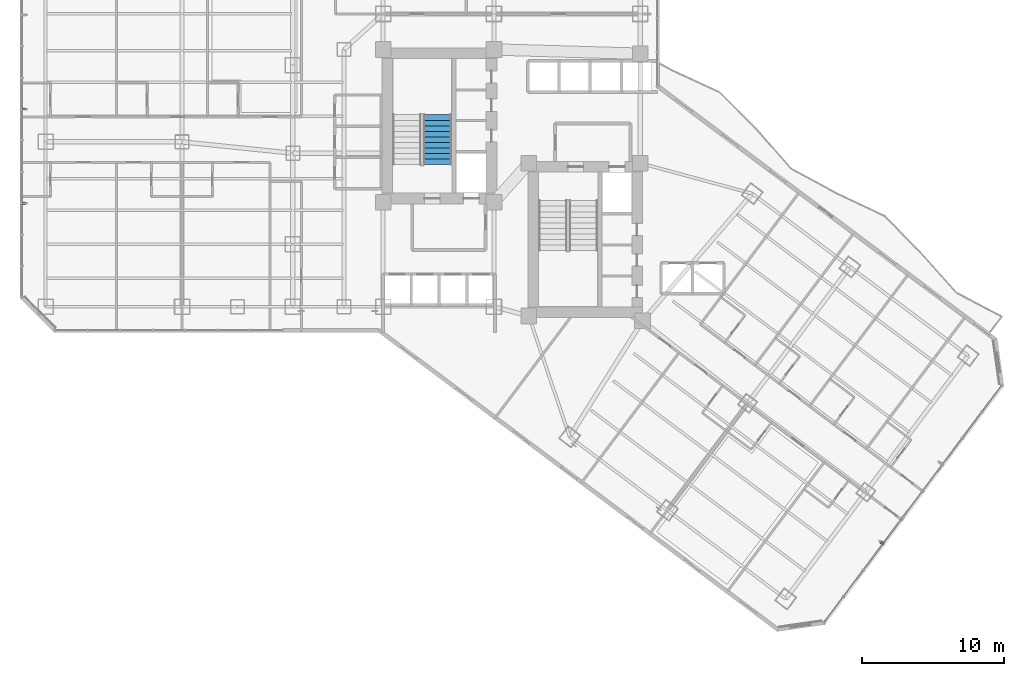
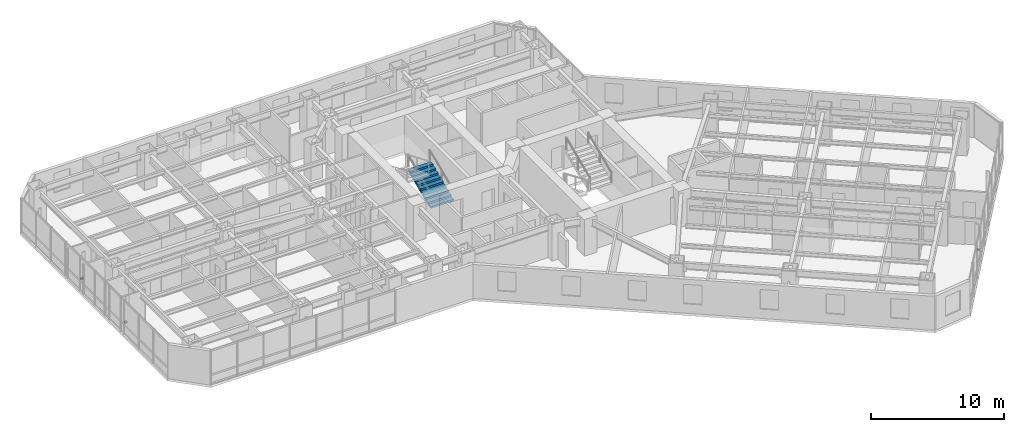
# One storey, part 28 of 37: 3 discrete accessories, 1 stair flight, 1 element without a shape of its own.
"""IFC4 building model written with IfcOpenShell, lengths in metres."""

from ifc_helpers import new_model, si_unit, direction, frame, origin, origin_2d, place, context, subcontext, project, spatial, polyline, rectangle, outline, extrude, material, type_object, element, aggregate, save


model = new_model("IFC4")

# Units and contexts
model_context = context("Model", 3, precision=1e-05, world=origin(), true_north=direction((0.0, 1.0)))
body_context = subcontext(model_context, "Body", "Model", "MODEL_VIEW")
ifc_project = project(units=[si_unit("LENGTHUNIT", "METRE"), si_unit("AREAUNIT", "SQUARE_METRE"), si_unit("VOLUMEUNIT", "CUBIC_METRE"), si_unit("PLANEANGLEUNIT", "RADIAN"), si_unit("MASSUNIT", "GRAM", prefix="KILO")], contexts=[model_context])

# Site, building, storey
site_placement = place(None, origin())
site = spatial("IfcSite", under=ifc_project, at=site_placement, CompositionType="ELEMENT")
building_placement = place(site_placement, origin())
building = spatial("IfcBuilding", under=site, at=building_placement, Name="Hatsunagi Terrace Concourse", CompositionType="ELEMENT")
storey_placement = place(building_placement, frame((0.0, 0.0, 50.0)))
storey = spatial("IfcBuildingStorey", under=building, at=storey_placement, Name="L12", CompositionType="ELEMENT", Elevation=50.0)

# Stair, stair flight
ifc_material_1 = material(Name="Concrete Fc42", Category="concrete")
stair_type = type_object("IfcStairType", Name="DoglegExitStair_Tower2000_20R_168", PredefinedType="HALF_TURN_STAIR", material=ifc_material_1)
stair_placement = place(storey_placement, origin())
stair = element("IfcStair", 1, at=stair_placement, inside=storey, type_object=stair_type, Name="L12 Core A Protected Exit Stair ST-A", PredefinedType="HALF_TURN_STAIR")
ifc_material_2 = material(Name="Concrete Fc42", Category="concrete")
stair_flight_type = type_object("IfcStairFlightType", Name="DoglegStairFlight_Tower2000_20R_168", PredefinedType="STRAIGHT", material=ifc_material_2)
stair_flight_placement = place(storey_placement, frame((29.3798828125, 35.199951171875, 0.0), z_axis=(0.0, 0.0, 1.0), x_axis=(0.0, 1.0, 0.0)))
stair_flight = element("IfcStairFlight", 2, at=stair_flight_placement, type_object=stair_flight_type, Name="ST-A flight 1", NumberOfRisers=10, NumberOfTreads=9, PredefinedType="STRAIGHT", RiserHeight=0.1675, TreadLength=0.39, context=body_context, shape_type="SweptSolid", body=[
    extrude(outline(polyline([(0.0, 0.0), (0.0, 0.16748046875), (0.389892578125, 0.16748046875), (0.389892578125, 0.3349609375), (0.780029296875, 0.3349609375), (0.780029296875, 0.50244140625), (1.169921875, 0.50244140625), (1.169921875, 0.669921875), (1.56005859375, 0.669921875), (1.56005859375, 0.83740234375), (1.949951171875, 0.83740234375), (1.949951171875, 1.0048828125), (2.340087890625, 1.0048828125), (2.340087890625, 1.172607421875), (2.72998046875, 1.172607421875), (2.72998046875, 1.340087890625), (3.1201171875, 1.340087890625), (3.1201171875, 1.507568359375), (3.510009765625, 1.507568359375), (3.510009765625, 1.675048828125), (3.510009765625, 1.34423828125), (0.3798828125, 0.0), (0.0, 0.0)])), frame((0.0, 1.0, 0.0), z_axis=(0.0, -1.0, 0.0), x_axis=(1.0, 0.0, 0.0)), (0.0, 0.0, 1.0), 2.0),
])
aggregate(stair, [stair_flight])

# Discrete accessories
ifc_material_3 = material(Name="Stainless Steel SUS316 Bracket", Category="steel")
discrete_accessory_type = type_object("IfcDiscreteAccessoryType", Name="FacadeScreenSupportBracket_SS", PredefinedType="BRACKET", material=ifc_material_3)
for number, where, z_axis, x_axis, name in (
    (3, (60.652099609375, 8.5849609375, 0.97021484375), (0.0, 0.0, 1.0), (-0.599969314634, -0.800023013105, 0.0), "Terracotta Screen Bracket BRK-01"),
    (4, (0.25, 32.48291015625, 0.97021484375), (0.0, 0.0, 1.0), (0.0, 1.0, 0.0), "Terracotta Screen Bracket BRK-01"),
    (5, (0.25, 39.10791015625, 0.97021484375), (0.0, 0.0, 1.0), (0.0, 1.0, 0.0), "Terracotta Screen Bracket BRK-01"),
):
    element("IfcDiscreteAccessory", number, at=place(storey_placement, frame(where, z_axis=z_axis, x_axis=x_axis)), inside=storey, type_object=discrete_accessory_type, Name=name, PredefinedType="BRACKET", context=body_context, shape_type="SweptSolid", body=[
        extrude(rectangle(XDim=0.159912109375, YDim=0.239990234375, at=origin_2d()), origin(), (0.0, 0.0, 1.0), 0.159912109375),
    ])

save(model, "model.ifc")
